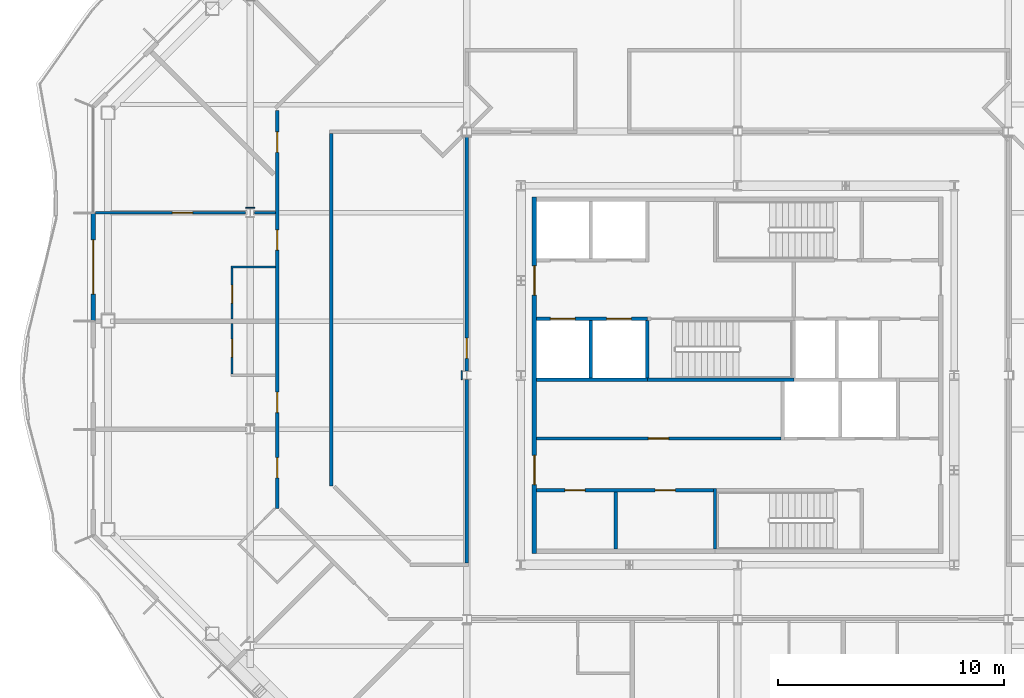
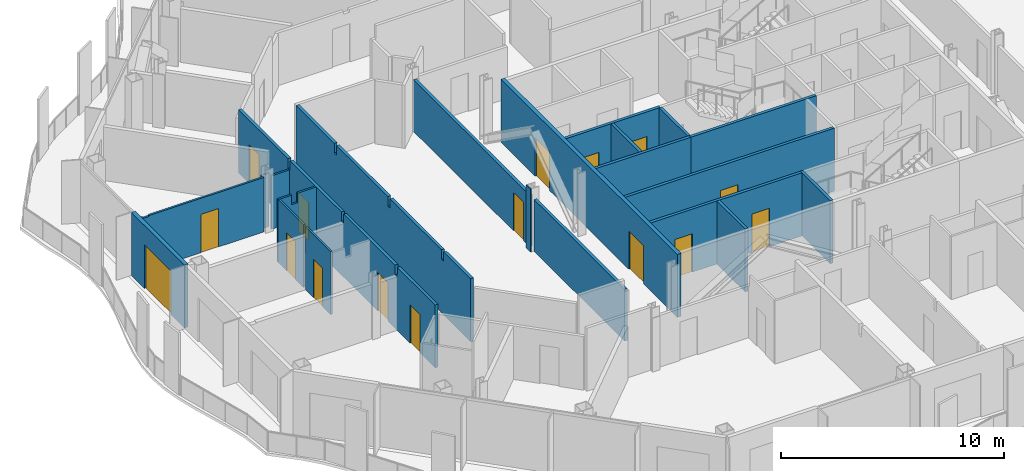
# One storey, part 8 of 21: 22 walls, 16 doors, 16 openings.
"""IFC4 building model written with IfcOpenShell, lengths in metres."""

from ifc_helpers import new_model, si_unit, direction, frame, frame_2d, origin, place, context, subcontext, project, spatial, polyline, rectangle, outline, extrude, material, layer, layer_set, type_object, element, fill, save


model = new_model("IFC4")

# Units and contexts
model_context = context("Model", 3, precision=1e-05, world=origin(), true_north=direction((0.0, 1.0)))
body_context = subcontext(model_context, "Body", "Model", "MODEL_VIEW")
ifc_project = project(units=[si_unit("LENGTHUNIT", "METRE"), si_unit("AREAUNIT", "SQUARE_METRE"), si_unit("VOLUMEUNIT", "CUBIC_METRE"), si_unit("PLANEANGLEUNIT", "RADIAN"), si_unit("MASSUNIT", "GRAM", prefix="KILO")], contexts=[model_context])

# Site, building, storey
site_placement = place(None, origin())
site = spatial("IfcSite", under=ifc_project, at=site_placement, CompositionType="ELEMENT")
building_placement = place(site_placement, origin())
building = spatial("IfcBuilding", under=site, at=building_placement, Name="Cairn Pilgrim Tower", CompositionType="ELEMENT")
storey_placement = place(building_placement, frame((0.0, 0.0, 157.800048828125)))
storey = spatial("IfcBuildingStorey", under=building, at=storey_placement, Name="L39", CompositionType="ELEMENT", Elevation=157.800048828125)

# Wall, opening, door
ifc_material_1 = material(Name="Bronze anodised aluminium insulated sandwich panel with mineral wool fill", Category="aluminium")
ifc_layer_1 = layer(ifc_material_1, 0.199951171875)
ifc_layer_set_1 = layer_set([ifc_layer_1], Name="BRONZE INFILL FRAME WALL 200")
wall_type_1 = type_object("IfcWallType", Name="BRONZE INFILL FRAME WALL 200", PredefinedType="NOTDEFINED", material=ifc_layer_set_1)
wall_1_placement = place(storey_placement, frame((-21.35009765625, 9.570068359375, 0.0), z_axis=(0.0, 0.0, 1.0), x_axis=(0.0, -1.0, 0.0)))
wall_1 = element("IfcWall", 1, at=wall_1_placement, inside=storey, type_object=wall_type_1, Name="Bronze infill frame wall IW-W2", PredefinedType="NOTDEFINED", context=body_context, shape_type="SweptSolid", body=[
    extrude(rectangle(XDim=4.739990234375, YDim=0.199951171875, at=frame_2d((2.3701171875, 0.0))), origin(), (0.0, 0.0, 1.0), 3.449951171875),
])
opening_1_placement = place(wall_1_placement, frame((1.169921875, 0.0, 0.0)))
opening_1 = element("IfcOpeningElement", 2, at=opening_1_placement, cuts=wall_1, Name="Opening 3917B", PredefinedType="OPENING", context=body_context, shape_type="SweptSolid", body=[
    extrude(rectangle(XDim=2.39990234375, YDim=2.39990234375, at=frame_2d((1.199951171875, 1.199951171875))), frame((0.0, 0.10986328125, 0.0), z_axis=(0.0, -1.0, 0.0), x_axis=(1.0, 0.0, 0.0)), (0.0, 0.0, 1.0), 0.219970703125),
])
ifc_material_2 = material(Name="Bronze anodised aluminium frame with tinted low-E glass", Category="aluminium")
door_type_1 = type_object("IfcDoorType", Name="BALCONY SLIDING DOOR 2400x2400", OperationType="DOUBLE_DOOR_SLIDING", PredefinedType="DOOR", material=ifc_material_2)
door_1_placement = place(opening_1_placement, origin())
door_1 = element("IfcDoor", 3, at=door_1_placement, inside=storey, type_object=door_type_1, Name="Balcony sliding door 3917B", OperationType="SINGLE_SWING_LEFT", OverallHeight=2.39990234375, OverallWidth=2.39990234375, PredefinedType="DOOR", context=body_context, shape_type="SweptSolid", body=[
    extrude(rectangle(XDim=2.39990234375, YDim=2.39990234375, at=frame_2d((1.199951171875, 1.199951171875))), frame((0.0, 0.02490234375, 0.0), z_axis=(0.0, -1.0, 0.0), x_axis=(1.0, 0.0, 0.0)), (0.0, 0.0, 1.0), 0.050048828125),
])
fill(opening_1, door_1)

# Wall, openings, doors
ifc_material_3 = material(Name="Concrete C32/40", Category="concrete")
ifc_layer_2 = layer(ifc_material_3, 0.199951171875)
ifc_layer_set_2 = layer_set([ifc_layer_2], Name="CORE OUTER WALL 200 EI 120")
wall_type_2 = type_object("IfcWallType", Name="CORE OUTER WALL 200 EI 120", PredefinedType="SOLIDWALL", material=ifc_layer_set_2)
wall_2_placement = place(storey_placement, frame((-1.800048828125, -5.5, 0.0), z_axis=(0.0, 0.0, 1.0), x_axis=(0.0, 1.0, 0.0)))
wall_2 = element("IfcWall", 4, at=wall_2_placement, inside=storey, type_object=wall_type_2, Name="CW:L39:V13", PredefinedType="SOLIDWALL", context=body_context, shape_type="SweptSolid", body=[
    extrude(rectangle(XDim=15.800048828125, YDim=0.199951171875, at=frame_2d((7.89990234375, 0.0))), origin(), (0.0, 0.0, 1.0), 3.449951171875),
])
opening_2_placement = place(wall_2_placement, frame((3.050048828125, 0.0, 0.0)))
opening_2 = element("IfcOpeningElement", 5, at=opening_2_placement, cuts=wall_2, Name="Opening CD-W1", PredefinedType="OPENING", context=body_context, shape_type="SweptSolid", body=[
    extrude(rectangle(XDim=1.300048828125, YDim=2.10009765625, at=frame_2d((0.64990234375, 1.050048828125))), frame((0.0, 0.10986328125, 0.0), z_axis=(0.0, -1.0, 0.0), x_axis=(1.0, 0.0, 0.0)), (0.0, 0.0, 1.0), 0.219970703125),
])
opening_3_placement = place(wall_2_placement, frame((11.449951171875, 0.0, 0.0)))
opening_3 = element("IfcOpeningElement", 6, at=opening_3_placement, cuts=wall_2, Name="Opening CD-W2", PredefinedType="OPENING", context=body_context, shape_type="SweptSolid", body=[
    extrude(rectangle(XDim=1.300048828125, YDim=2.10009765625, at=frame_2d((0.64990234375, 1.050048828125))), frame((0.0, 0.10986328125, 0.0), z_axis=(0.0, -1.0, 0.0), x_axis=(1.0, 0.0, 0.0)), (0.0, 0.0, 1.0), 0.219970703125),
])
ifc_material_4 = material(Name="Painted steel", Category="steel")
door_type_2 = type_object("IfcDoorType", Name="CORE LOBBY DOOR 1300x2100", OperationType="DOUBLE_DOOR_SINGLE_SWING", PredefinedType="DOOR", material=ifc_material_4)
door_2_placement = place(opening_2_placement, origin())
door_2 = element("IfcDoor", 7, at=door_2_placement, inside=storey, type_object=door_type_2, Name="CD-W1", OperationType="DOUBLE_DOOR_SINGLE_SWING", OverallHeight=2.10009765625, OverallWidth=1.300048828125, PredefinedType="DOOR", context=body_context, shape_type="SweptSolid", body=[
    extrude(rectangle(XDim=1.300048828125, YDim=2.10009765625, at=frame_2d((0.64990234375, 1.050048828125))), frame((0.0, 0.02490234375, 0.0), z_axis=(0.0, -1.0, 0.0), x_axis=(1.0, 0.0, 0.0)), (0.0, 0.0, 1.0), 0.050048828125),
])
fill(opening_2, door_2)
door_3_placement = place(opening_3_placement, origin())
door_3 = element("IfcDoor", 8, at=door_3_placement, inside=storey, type_object=door_type_2, Name="CD-W2", OperationType="DOUBLE_DOOR_SINGLE_SWING", OverallHeight=2.10009765625, OverallWidth=1.300048828125, PredefinedType="DOOR", context=body_context, shape_type="SweptSolid", body=[
    extrude(rectangle(XDim=1.300048828125, YDim=2.10009765625, at=frame_2d((0.64990234375, 1.050048828125))), frame((0.0, 0.02490234375, 0.0), z_axis=(0.0, -1.0, 0.0), x_axis=(1.0, 0.0, 0.0)), (0.0, 0.0, 1.0), 0.050048828125),
])
fill(opening_3, door_3)

ifc_layer_3 = layer(ifc_material_3, 0.14990234375)
ifc_layer_set_3 = layer_set([ifc_layer_3], Name="CORE PARTITION 150 EI 60")
wall_type_3 = type_object("IfcWallType", Name="CORE PARTITION 150 EI 60", PredefinedType="PARTITIONING", material=ifc_layer_set_3)
wall_3_placement = place(storey_placement, frame((-1.699951171875, -2.699951171875, 0.0), z_axis=(0.0, 0.0, 1.0), x_axis=(1.0, 0.0, 0.0)))
wall_3 = element("IfcWall", 9, at=wall_3_placement, inside=storey, type_object=wall_type_3, Name="CW:L39:H02", PredefinedType="PARTITIONING", context=body_context, shape_type="SweptSolid", body=[
    extrude(rectangle(XDim=7.824951171875, YDim=0.14990234375, at=frame_2d((3.91259765625, 0.0))), origin(), (0.0, 0.0, 1.0), 3.449951171875),
])
opening_4_placement = place(wall_3_placement, frame((1.25, 0.0, 0.0)))
opening_4 = element("IfcOpeningElement", 10, at=opening_4_placement, cuts=wall_3, Name="Opening RD-R1W1", PredefinedType="OPENING", context=body_context, shape_type="SweptSolid", body=[
    extrude(rectangle(XDim=0.89990234375, YDim=2.10009765625, at=frame_2d((0.449951171875, 1.050048828125))), frame((0.0, 0.0849609375, 0.0), z_axis=(0.0, -1.0, 0.0), x_axis=(1.0, 0.0, 0.0)), (0.0, 0.0, 1.0), 0.169921875),
])
opening_5_placement = place(wall_3_placement, frame((5.25, 0.0, 0.0)))
opening_5 = element("IfcOpeningElement", 11, at=opening_5_placement, cuts=wall_3, Name="Opening RD-R1W2", PredefinedType="OPENING", context=body_context, shape_type="SweptSolid", body=[
    extrude(rectangle(XDim=0.89990234375, YDim=2.10009765625, at=frame_2d((0.449951171875, 1.050048828125))), frame((0.0, 0.0849609375, 0.0), z_axis=(0.0, -1.0, 0.0), x_axis=(1.0, 0.0, 0.0)), (0.0, 0.0, 1.0), 0.169921875),
])
door_type_3 = type_object("IfcDoorType", Name="SERVICE ROOM DOOR 900x2100", OperationType="SINGLE_SWING_LEFT", PredefinedType="DOOR", material=ifc_material_4)
door_4_placement = place(opening_4_placement, origin())
door_4 = element("IfcDoor", 12, at=door_4_placement, inside=storey, type_object=door_type_3, Name="RD-R1W1", OperationType="SINGLE_SWING_RIGHT", OverallHeight=2.10009765625, OverallWidth=0.89990234375, PredefinedType="DOOR", context=body_context, shape_type="SweptSolid", body=[
    extrude(rectangle(XDim=0.89990234375, YDim=2.10009765625, at=frame_2d((0.449951171875, 1.050048828125))), frame((0.0, 0.02490234375, 0.0), z_axis=(0.0, -1.0, 0.0), x_axis=(1.0, 0.0, 0.0)), (0.0, 0.0, 1.0), 0.050048828125),
])
fill(opening_4, door_4)
door_5_placement = place(opening_5_placement, origin())
door_5 = element("IfcDoor", 13, at=door_5_placement, inside=storey, type_object=door_type_3, Name="RD-R1W2", OperationType="SINGLE_SWING_LEFT", OverallHeight=2.10009765625, OverallWidth=0.89990234375, PredefinedType="DOOR", context=body_context, shape_type="SweptSolid", body=[
    extrude(rectangle(XDim=0.89990234375, YDim=2.10009765625, at=frame_2d((0.449951171875, 1.050048828125))), frame((0.0, 0.02490234375, 0.0), z_axis=(0.0, -1.0, 0.0), x_axis=(1.0, 0.0, 0.0)), (0.0, 0.0, 1.0), 0.050048828125),
])
fill(opening_5, door_5)

# Wall, opening, door
wall_4_placement = place(storey_placement, frame((-1.699951171875, -0.39990234375, 0.0), z_axis=(0.0, 0.0, 1.0), x_axis=(1.0, 0.0, 0.0)))
wall_4 = element("IfcWall", 14, at=wall_4_placement, inside=storey, type_object=wall_type_3, Name="CW:L39:H04", PredefinedType="PARTITIONING", context=body_context, shape_type="SweptSolid", body=[
    extrude(rectangle(XDim=10.824951171875, YDim=0.14990234375, at=frame_2d((5.41259765625, 0.0))), origin(), (0.0, 0.0, 1.0), 3.449951171875),
])
opening_6_placement = place(wall_4_placement, frame((4.949951171875, 0.0, 0.0)))
opening_6 = element("IfcOpeningElement", 15, at=opening_6_placement, cuts=wall_4, Name="Opening RD-R2W1", PredefinedType="OPENING", context=body_context, shape_type="SweptSolid", body=[
    extrude(rectangle(XDim=0.89990234375, YDim=2.10009765625, at=frame_2d((0.449951171875, 1.050048828125))), frame((0.0, 0.0849609375, 0.0), z_axis=(0.0, -1.0, 0.0), x_axis=(1.0, 0.0, 0.0)), (0.0, 0.0, 1.0), 0.169921875),
])
door_6_placement = place(opening_6_placement, origin())
door_6 = element("IfcDoor", 16, at=door_6_placement, inside=storey, type_object=door_type_3, Name="RD-R2W1", OperationType="SINGLE_SWING_RIGHT", OverallHeight=2.10009765625, OverallWidth=0.89990234375, PredefinedType="DOOR", context=body_context, shape_type="SweptSolid", body=[
    extrude(rectangle(XDim=0.89990234375, YDim=2.10009765625, at=frame_2d((0.449951171875, 1.050048828125))), frame((0.0, 0.02490234375, 0.0), z_axis=(0.0, -1.0, 0.0), x_axis=(1.0, 0.0, 0.0)), (0.0, 0.0, 1.0), 0.050048828125),
])
fill(opening_6, door_6)

# Walls
wall_5_placement = place(storey_placement, frame((1.800048828125, -5.300048828125, 0.0), z_axis=(0.0, 0.0, 1.0), x_axis=(0.0, 1.0, 0.0)))
element("IfcWall", 17, at=wall_5_placement, inside=storey, type_object=wall_type_3, Name="CW:L39:V16", PredefinedType="PARTITIONING", context=body_context, shape_type="SweptSolid", body=[
    extrude(rectangle(XDim=2.525146484375, YDim=0.14990234375, at=frame_2d((1.2626953125, 0.0))), origin(), (0.0, 0.0, 1.0), 3.449951171875),
])
ifc_layer_4 = layer(ifc_material_3, 0.14990234375)
ifc_layer_set_4 = layer_set([ifc_layer_4], Name="CORE SHAFT WALL 150 EI 120")
wall_type_4 = type_object("IfcWallType", Name="CORE SHAFT WALL 150 EI 120", PredefinedType="SOLIDWALL", material=ifc_layer_set_4)
wall_6_placement = place(storey_placement, frame((-1.699951171875, 2.199951171875, 0.0), z_axis=(0.0, 0.0, 1.0), x_axis=(1.0, 0.0, 0.0)))
element("IfcWall", 18, at=wall_6_placement, inside=storey, type_object=wall_type_4, Name="CW:L39:H07-1", PredefinedType="SOLIDWALL", context=body_context, shape_type="SweptSolid", body=[
    extrude(rectangle(XDim=4.89990234375, YDim=0.14990234375, at=frame_2d((2.449951171875, 0.0))), origin(), (0.0, 0.0, 1.0), 3.449951171875),
])

# Wall, openings, doors
wall_7_placement = place(storey_placement, frame((-1.699951171875, 4.89990234375, 0.0), z_axis=(0.0, 0.0, 1.0), x_axis=(1.0, 0.0, 0.0)))
wall_7 = element("IfcWall", 19, at=wall_7_placement, inside=storey, type_object=wall_type_4, Name="CW:L39:H09-1", PredefinedType="SOLIDWALL", context=body_context, shape_type="SweptSolid", body=[
    extrude(rectangle(XDim=4.89990234375, YDim=0.14990234375, at=frame_2d((2.449951171875, 0.0))), origin(), (0.0, 0.0, 1.0), 3.449951171875),
])
opening_7_placement = place(wall_7_placement, frame((0.60009765625, 0.0, 0.0)))
opening_7 = element("IfcOpeningElement", 20, at=opening_7_placement, cuts=wall_7, Name="Opening LD-HR1", PredefinedType="OPENING", context=body_context, shape_type="SweptSolid", body=[
    extrude(rectangle(XDim=1.10009765625, YDim=2.10009765625, at=frame_2d((0.550048828125, 1.050048828125))), frame((0.0, 0.0849609375, 0.0), z_axis=(0.0, -1.0, 0.0), x_axis=(1.0, 0.0, 0.0)), (0.0, 0.0, 1.0), 0.169921875),
])
opening_8_placement = place(wall_7_placement, frame((3.10009765625, 0.0, 0.0)))
opening_8 = element("IfcOpeningElement", 21, at=opening_8_placement, cuts=wall_7, Name="Opening LD-HR2", PredefinedType="OPENING", context=body_context, shape_type="SweptSolid", body=[
    extrude(rectangle(XDim=1.10009765625, YDim=2.10009765625, at=frame_2d((0.550048828125, 1.050048828125))), frame((0.0, 0.0849609375, 0.0), z_axis=(0.0, -1.0, 0.0), x_axis=(1.0, 0.0, 0.0)), (0.0, 0.0, 1.0), 0.169921875),
])
ifc_material_5 = material(Name="Stainless steel", Category="steel")
door_type_4 = type_object("IfcDoorType", Name="LIFT LANDING DOOR 1100x2100", OperationType="DOUBLE_DOOR_SLIDING", PredefinedType="DOOR", material=ifc_material_5)
door_7_placement = place(opening_7_placement, origin())
door_7 = element("IfcDoor", 22, at=door_7_placement, inside=storey, type_object=door_type_4, Name="LANDING DOOR HR1", OperationType="DOUBLE_DOOR_SLIDING", OverallHeight=2.10009765625, OverallWidth=1.10009765625, PredefinedType="DOOR", context=body_context, shape_type="SweptSolid", body=[
    extrude(rectangle(XDim=1.10009765625, YDim=2.10009765625, at=frame_2d((0.550048828125, 1.050048828125))), frame((0.0, 0.02490234375, 0.0), z_axis=(0.0, -1.0, 0.0), x_axis=(1.0, 0.0, 0.0)), (0.0, 0.0, 1.0), 0.050048828125),
])
fill(opening_7, door_7)
door_8_placement = place(opening_8_placement, origin())
door_8 = element("IfcDoor", 23, at=door_8_placement, inside=storey, type_object=door_type_4, Name="LANDING DOOR HR2", OperationType="DOUBLE_DOOR_SLIDING", OverallHeight=2.10009765625, OverallWidth=1.10009765625, PredefinedType="DOOR", context=body_context, shape_type="SweptSolid", body=[
    extrude(rectangle(XDim=1.10009765625, YDim=2.10009765625, at=frame_2d((0.550048828125, 1.050048828125))), frame((0.0, 0.02490234375, 0.0), z_axis=(0.0, -1.0, 0.0), x_axis=(1.0, 0.0, 0.0)), (0.0, 0.0, 1.0), 0.050048828125),
])
fill(opening_8, door_8)

# Wall
wall_8_placement = place(storey_placement, frame((0.699951171875, 2.27490234375, 0.0), z_axis=(0.0, 0.0, 1.0), x_axis=(0.0, 1.0, 0.0)))
element("IfcWall", 24, at=wall_8_placement, inside=storey, type_object=wall_type_4, Name="CW:L39:V14", PredefinedType="SOLIDWALL", context=body_context, shape_type="SweptSolid", body=[
    extrude(rectangle(XDim=2.550048828125, YDim=0.14990234375, at=frame_2d((1.27490234375, 0.0))), origin(), (0.0, 0.0, 1.0), 3.449951171875),
])

# Wall, opening, door
ifc_material_6 = material(Name="Gypsum partition")
ifc_layer_5 = layer(ifc_material_6, 0.10009765625)
ifc_layer_set_5 = layer_set([ifc_layer_5], Name="PARTITION 100 DRYWALL")
wall_type_5 = type_object("IfcWallType", Name="PARTITION 100 DRYWALL", PredefinedType="PARTITIONING", material=ifc_layer_set_5)
wall_9_placement = place(storey_placement, frame((-15.199951171875, 2.449951171875, 0.0), z_axis=(0.0, 0.0, 1.0), x_axis=(0.0, 1.0, 0.0)))
wall_9 = element("IfcWall", 25, at=wall_9_placement, inside=storey, type_object=wall_type_5, Name="PARTITION W048", PredefinedType="PARTITIONING", context=body_context, shape_type="SweptSolid", body=[
    extrude(rectangle(XDim=2.25, YDim=0.10009765625, at=frame_2d((1.125, 0.0))), origin(), (0.0, 0.0, 1.0), 3.449951171875),
])
opening_9_placement = place(wall_9_placement, frame((0.75, 0.0, 0.0)))
opening_9 = element("IfcOpeningElement", 26, at=opening_9_placement, cuts=wall_9, Name="Opening 3918A", PredefinedType="OPENING", context=body_context, shape_type="SweptSolid", body=[
    extrude(rectangle(XDim=0.800048828125, YDim=2.10009765625, at=frame_2d((0.39990234375, 1.050048828125))), frame((0.0, 0.06005859375, 0.0), z_axis=(0.0, -1.0, 0.0), x_axis=(1.0, 0.0, 0.0)), (0.0, 0.0, 1.0), 0.1201171875),
])
ifc_material_7 = material(Name="Timber door leaf", Category="wood")
door_type_5 = type_object("IfcDoorType", Name="WC DOOR 800x2100", OperationType="NOTDEFINED", PredefinedType="DOOR", material=ifc_material_7)
door_9_placement = place(opening_9_placement, origin())
door_9 = element("IfcDoor", 27, at=door_9_placement, inside=storey, type_object=door_type_5, Name="DOOR 3918A", OperationType="SINGLE_SWING_RIGHT", OverallHeight=2.10009765625, OverallWidth=0.800048828125, PredefinedType="DOOR", context=body_context, shape_type="SweptSolid", body=[
    extrude(rectangle(XDim=0.800048828125, YDim=2.10009765625, at=frame_2d((0.39990234375, 1.050048828125))), frame((0.0, 0.02490234375, 0.0), z_axis=(0.0, -1.0, 0.0), x_axis=(1.0, 0.0, 0.0)), (0.0, 0.0, 1.0), 0.050048828125),
])
fill(opening_9, door_9)

wall_10_placement = place(storey_placement, frame((-15.199951171875, 4.89990234375, 0.0), z_axis=(0.0, 0.0, 1.0), x_axis=(0.0, 1.0, 0.0)))
wall_10 = element("IfcWall", 28, at=wall_10_placement, inside=storey, type_object=wall_type_5, Name="PARTITION W059", PredefinedType="PARTITIONING", context=body_context, shape_type="SweptSolid", body=[
    extrude(rectangle(XDim=2.25, YDim=0.10009765625, at=frame_2d((1.125, 0.0))), origin(), (0.0, 0.0, 1.0), 3.449951171875),
])
opening_10_placement = place(wall_10_placement, frame((0.699951171875, 0.0, 0.0)))
opening_10 = element("IfcOpeningElement", 29, at=opening_10_placement, cuts=wall_10, Name="Opening 3917A", PredefinedType="OPENING", context=body_context, shape_type="SweptSolid", body=[
    extrude(rectangle(XDim=0.800048828125, YDim=2.10009765625, at=frame_2d((0.39990234375, 1.050048828125))), frame((0.0, 0.06005859375, 0.0), z_axis=(0.0, -1.0, 0.0), x_axis=(1.0, 0.0, 0.0)), (0.0, 0.0, 1.0), 0.1201171875),
])
door_10_placement = place(opening_10_placement, origin())
door_10 = element("IfcDoor", 30, at=door_10_placement, inside=storey, type_object=door_type_5, Name="DOOR 3917A", OperationType="SINGLE_SWING_RIGHT", OverallHeight=2.10009765625, OverallWidth=0.800048828125, PredefinedType="DOOR", context=body_context, shape_type="SweptSolid", body=[
    extrude(rectangle(XDim=0.800048828125, YDim=2.10009765625, at=frame_2d((0.39990234375, 1.050048828125))), frame((0.0, 0.02490234375, 0.0), z_axis=(0.0, -1.0, 0.0), x_axis=(1.0, 0.0, 0.0)), (0.0, 0.0, 1.0), 0.050048828125),
])
fill(opening_10, door_10)

# Wall
wall_11_placement = place(storey_placement, frame((-15.25, 7.199951171875, 0.0), z_axis=(0.0, 0.0, 1.0), x_axis=(1.0, 0.0, 0.0)))
element("IfcWall", 31, at=wall_11_placement, inside=storey, type_object=wall_type_5, Name="PARTITION W062", PredefinedType="PARTITIONING", context=body_context, shape_type="SweptSolid", body=[
    extrude(outline(polyline([(0.0, 0.0), (1.97509765625, 0.0), (1.97509765625, 3.449951171875), (1.0, 3.449951171875), (0.998046875, 2.929931640625), (0.699951171875, 2.929931640625), (0.697998046875, 3.449951171875), (0.0, 3.449951171875), (0.0, 0.0)])), frame((0.0, 0.050048828125, 0.0), z_axis=(0.0, -1.0, 0.0), x_axis=(1.0, 0.0, 0.0)), (0.0, 0.0, 1.0), 0.10009765625),
])

# Wall, opening, door
wall_12_placement = place(storey_placement, frame((-21.25, 9.60009765625, 0.0), z_axis=(0.0, 0.0, 1.0), x_axis=(1.0, 0.0, 0.0)))
wall_12 = element("IfcWall", 32, at=wall_12_placement, inside=storey, type_object=wall_type_5, Name="PARTITION W064", PredefinedType="PARTITIONING", context=body_context, shape_type="SweptSolid", body=[
    extrude(outline(polyline([(0.0, 0.0), (6.650390625, 0.0), (6.650390625, 2.97998046875), (0.699951171875, 2.97998046875), (0.697998046875, 2.929931640625), (0.39990234375, 2.929931640625), (0.39794921875, 2.97998046875), (0.0, 2.97998046875), (0.0, 0.0)])), frame((0.0, 0.050048828125, 0.0), z_axis=(0.0, -1.0, 0.0), x_axis=(1.0, 0.0, 0.0)), (0.0, 0.0, 1.0), 0.10009765625),
])
opening_11_placement = place(wall_12_placement, frame((3.39990234375, 0.0, 0.0)))
opening_11 = element("IfcOpeningElement", 33, at=opening_11_placement, cuts=wall_12, Name="Opening 3923", PredefinedType="OPENING", context=body_context, shape_type="SweptSolid", body=[
    extrude(rectangle(XDim=0.89990234375, YDim=2.10009765625, at=frame_2d((0.449951171875, 1.050048828125))), frame((0.0, 0.06005859375, 0.0), z_axis=(0.0, -1.0, 0.0), x_axis=(1.0, 0.0, 0.0)), (0.0, 0.0, 1.0), 0.1201171875),
])
door_type_6 = type_object("IfcDoorType", Name="SERVICE DOOR 900x2100", OperationType="NOTDEFINED", PredefinedType="DOOR", material=ifc_material_7)
door_11_placement = place(opening_11_placement, frame((0.89990234375, 0.0, 0.0), z_axis=(0.0, 0.0, 1.0), x_axis=(-1.0, 0.0, 0.0)))
door_11 = element("IfcDoor", 34, at=door_11_placement, inside=storey, type_object=door_type_6, Name="DOOR 3923", OperationType="SINGLE_SWING_RIGHT", OverallHeight=2.10009765625, OverallWidth=0.89990234375, PredefinedType="DOOR", context=body_context, shape_type="SweptSolid", body=[
    extrude(rectangle(XDim=0.89990234375, YDim=2.10009765625, at=frame_2d((0.449951171875, 1.050048828125))), frame((0.0, 0.02490234375, 0.0), z_axis=(0.0, -1.0, 0.0), x_axis=(1.0, 0.0, 0.0)), (0.0, 0.0, 1.0), 0.050048828125),
])
fill(opening_11, door_11)

# Walls
wall_13_placement = place(storey_placement, frame((-14.200439453125, 9.60009765625, 0.0), z_axis=(0.0, 0.0, 1.0), x_axis=(1.0, 0.0, 0.0)))
element("IfcWall", 35, at=wall_13_placement, inside=storey, type_object=wall_type_5, Name="PARTITION W065", PredefinedType="PARTITIONING", context=body_context, shape_type="SweptSolid", body=[
    extrude(rectangle(XDim=0.925537109375, YDim=0.10009765625, at=frame_2d((0.462890625, 0.0))), origin(), (0.0, 0.0, 1.0), 2.929931640625),
])
ifc_layer_6 = layer(ifc_material_6, 0.14990234375)
ifc_layer_set_6 = layer_set([ifc_layer_6], Name="PARTITION 150 DRYWALL EI 60")
wall_type_6 = type_object("IfcWallType", Name="PARTITION 150 DRYWALL EI 60", PredefinedType="PARTITIONING", material=ifc_layer_set_6)
wall_14_placement = place(storey_placement, frame((-4.800048828125, -5.925048828125, 0.0), z_axis=(0.0, 0.0, 1.0), x_axis=(0.0, 1.0, 0.0)))
element("IfcWall", 36, at=wall_14_placement, inside=storey, type_object=wall_type_6, Name="PARTITION W033", PredefinedType="PARTITIONING", context=body_context, shape_type="SweptSolid", body=[
    extrude(rectangle(XDim=8.128662109375, YDim=0.14990234375, at=frame_2d((4.064453125, 0.0))), origin(), (0.0, 0.0, 1.0), 2.829833984375),
])

# Wall, openings, doors
wall_15_placement = place(storey_placement, frame((-13.199951171875, -3.5, 0.0), z_axis=(0.0, 0.0, 1.0), x_axis=(0.0, 1.0, 0.0)))
wall_15 = element("IfcWall", 37, at=wall_15_placement, inside=storey, type_object=wall_type_6, Name="PARTITION W037", PredefinedType="PARTITIONING", context=body_context, shape_type="SweptSolid", body=[
    extrude(outline(polyline([(0.0, 0.0), (17.634033203125, 0.0), (17.634033203125, 3.449951171875), (13.2001953125, 3.449951171875), (13.197998046875, 2.929931640625), (13.0, 2.929931640625), (12.998046875, 3.449951171875), (8.400146484375, 3.449951171875), (8.398193359375, 2.929931640625), (8.2001953125, 2.929931640625), (8.197998046875, 3.449951171875), (3.60009765625, 3.449951171875), (3.59814453125, 2.929931640625), (3.400146484375, 2.929931640625), (3.398193359375, 3.449951171875), (0.0, 3.449951171875), (0.0, 0.0)])), frame((0.0, 0.074951171875, 0.0), z_axis=(0.0, -1.0, 0.0), x_axis=(1.0, 0.0, 0.0)), (0.0, 0.0, 1.0), 0.14990234375),
])
opening_12_placement = place(wall_15_placement, frame((15.7841796875, 0.0, 0.0)))
opening_12 = element("IfcOpeningElement", 38, at=opening_12_placement, cuts=wall_15, Name="Opening 3916", PredefinedType="OPENING", context=body_context, shape_type="SweptSolid", body=[
    extrude(rectangle(XDim=0.89990234375, YDim=2.10009765625, at=frame_2d((0.449951171875, 1.050048828125))), frame((0.0, 0.0849609375, 0.0), z_axis=(0.0, -1.0, 0.0), x_axis=(1.0, 0.0, 0.0)), (0.0, 0.0, 1.0), 0.169921875),
])
opening_13_placement = place(wall_15_placement, frame((11.449951171875, 0.0, 0.0)))
opening_13 = element("IfcOpeningElement", 39, at=opening_13_placement, cuts=wall_15, Name="Opening 3917", PredefinedType="OPENING", context=body_context, shape_type="SweptSolid", body=[
    extrude(rectangle(XDim=0.89990234375, YDim=2.10009765625, at=frame_2d((0.449951171875, 1.050048828125))), frame((0.0, 0.0849609375, 0.0), z_axis=(0.0, -1.0, 0.0), x_axis=(1.0, 0.0, 0.0)), (0.0, 0.0, 1.0), 0.169921875),
])
opening_14_placement = place(wall_15_placement, frame((4.25, 0.0, 0.0)))
opening_14 = element("IfcOpeningElement", 40, at=opening_14_placement, cuts=wall_15, Name="Opening 3918", PredefinedType="OPENING", context=body_context, shape_type="SweptSolid", body=[
    extrude(rectangle(XDim=0.89990234375, YDim=2.10009765625, at=frame_2d((0.449951171875, 1.050048828125))), frame((0.0, 0.0849609375, 0.0), z_axis=(0.0, -1.0, 0.0), x_axis=(1.0, 0.0, 0.0)), (0.0, 0.0, 1.0), 0.169921875),
])
opening_15_placement = place(wall_15_placement, frame((1.35302734375, 0.0, 0.0)))
opening_15 = element("IfcOpeningElement", 41, at=opening_15_placement, cuts=wall_15, Name="Opening 3919", PredefinedType="OPENING", context=body_context, shape_type="SweptSolid", body=[
    extrude(rectangle(XDim=0.89990234375, YDim=2.10009765625, at=frame_2d((0.449951171875, 1.050048828125))), frame((0.0, 0.0849609375, 0.0), z_axis=(0.0, -1.0, 0.0), x_axis=(1.0, 0.0, 0.0)), (0.0, 0.0, 1.0), 0.169921875),
])
door_type_7 = type_object("IfcDoorType", Name="ROOM DOOR 900x2100 FD30S", OperationType="NOTDEFINED", PredefinedType="DOOR", material=ifc_material_7)
door_12_placement = place(opening_13_placement, origin())
door_12 = element("IfcDoor", 42, at=door_12_placement, inside=storey, type_object=door_type_7, Name="DOOR 3917", OperationType="SINGLE_SWING_RIGHT", OverallHeight=2.10009765625, OverallWidth=0.89990234375, PredefinedType="DOOR", context=body_context, shape_type="SweptSolid", body=[
    extrude(rectangle(XDim=0.89990234375, YDim=2.10009765625, at=frame_2d((0.449951171875, 1.050048828125))), frame((0.0, 0.02490234375, 0.0), z_axis=(0.0, -1.0, 0.0), x_axis=(1.0, 0.0, 0.0)), (0.0, 0.0, 1.0), 0.050048828125),
])
fill(opening_13, door_12)
door_13_placement = place(opening_14_placement, origin())
door_13 = element("IfcDoor", 43, at=door_13_placement, inside=storey, type_object=door_type_7, Name="DOOR 3918", OperationType="SINGLE_SWING_RIGHT", OverallHeight=2.10009765625, OverallWidth=0.89990234375, PredefinedType="DOOR", context=body_context, shape_type="SweptSolid", body=[
    extrude(rectangle(XDim=0.89990234375, YDim=2.10009765625, at=frame_2d((0.449951171875, 1.050048828125))), frame((0.0, 0.02490234375, 0.0), z_axis=(0.0, -1.0, 0.0), x_axis=(1.0, 0.0, 0.0)), (0.0, 0.0, 1.0), 0.050048828125),
])
fill(opening_14, door_13)
door_14_placement = place(opening_15_placement, origin())
door_14 = element("IfcDoor", 44, at=door_14_placement, inside=storey, type_object=door_type_7, Name="DOOR 3919", OperationType="SINGLE_SWING_RIGHT", OverallHeight=2.10009765625, OverallWidth=0.89990234375, PredefinedType="DOOR", context=body_context, shape_type="SweptSolid", body=[
    extrude(rectangle(XDim=0.89990234375, YDim=2.10009765625, at=frame_2d((0.449951171875, 1.050048828125))), frame((0.0, 0.02490234375, 0.0), z_axis=(0.0, -1.0, 0.0), x_axis=(1.0, 0.0, 0.0)), (0.0, 0.0, 1.0), 0.050048828125),
])
fill(opening_15, door_14)
door_type_8 = type_object("IfcDoorType", Name="SERVICE DOOR 900x2100 FD30S", OperationType="NOTDEFINED", PredefinedType="DOOR", material=ifc_material_7)
door_15_placement = place(opening_12_placement, origin())
door_15 = element("IfcDoor", 45, at=door_15_placement, inside=storey, type_object=door_type_8, Name="DOOR 3916", OperationType="SINGLE_SWING_RIGHT", OverallHeight=2.10009765625, OverallWidth=0.89990234375, PredefinedType="DOOR", context=body_context, shape_type="SweptSolid", body=[
    extrude(rectangle(XDim=0.89990234375, YDim=2.10009765625, at=frame_2d((0.449951171875, 1.050048828125))), frame((0.0, 0.02490234375, 0.0), z_axis=(0.0, -1.0, 0.0), x_axis=(1.0, 0.0, 0.0)), (0.0, 0.0, 1.0), 0.050048828125),
])
fill(opening_12, door_15)

# Wall
wall_16_placement = place(storey_placement, frame((-10.800048828125, -2.506103515625, 0.0), z_axis=(0.0, 0.0, 1.0), x_axis=(0.0, 1.0, 0.0)))
element("IfcWall", 46, at=wall_16_placement, inside=storey, type_object=wall_type_6, Name="PARTITION W038", PredefinedType="PARTITIONING", context=body_context, shape_type="SweptSolid", body=[
    extrude(outline(polyline([(0.0, 0.0), (15.631103515625, 0.0), (15.631103515625, 3.449951171875), (12.2060546875, 3.449951171875), (12.2041015625, 2.929931640625), (12.006103515625, 2.929931640625), (12.004150390625, 3.449951171875), (7.406005859375, 3.449951171875), (7.404052734375, 2.929931640625), (7.2060546875, 2.929931640625), (7.2041015625, 3.449951171875), (2.606201171875, 3.449951171875), (2.60400390625, 2.929931640625), (2.406005859375, 2.929931640625), (2.404052734375, 3.449951171875), (0.0, 3.449951171875), (0.0, 0.0)])), frame((0.0, 0.074951171875, 0.0), z_axis=(0.0, -1.0, 0.0), x_axis=(1.0, 0.0, 0.0)), (0.0, 0.0, 1.0), 0.14990234375),
])

# Wall, opening, door
wall_17_placement = place(storey_placement, frame((-4.800048828125, 2.596435546875, 0.0), z_axis=(0.0, 0.0, 1.0), x_axis=(0.0, 1.0, 0.0)))
wall_17 = element("IfcWall", 47, at=wall_17_placement, inside=storey, type_object=wall_type_6, Name="PARTITION W051", PredefinedType="PARTITIONING", context=body_context, shape_type="SweptSolid", body=[
    extrude(rectangle(XDim=10.406982421875, YDim=0.14990234375, at=frame_2d((5.20361328125, 0.0))), origin(), (0.0, 0.0, 1.0), 2.829833984375),
])
opening_16_placement = place(wall_17_placement, frame((0.553466796875, 0.0, 0.0)))
opening_16 = element("IfcOpeningElement", 48, at=opening_16_placement, cuts=wall_17, Name="Opening 3929", PredefinedType="OPENING", context=body_context, shape_type="SweptSolid", body=[
    extrude(rectangle(XDim=0.89990234375, YDim=2.10009765625, at=frame_2d((0.449951171875, 1.050048828125))), frame((0.0, 0.0849609375, 0.0), z_axis=(0.0, -1.0, 0.0), x_axis=(1.0, 0.0, 0.0)), (0.0, 0.0, 1.0), 0.169921875),
])
door_16_placement = place(opening_16_placement, origin())
door_16 = element("IfcDoor", 49, at=door_16_placement, inside=storey, type_object=door_type_8, Name="DOOR 3929", OperationType="SINGLE_SWING_LEFT", OverallHeight=2.10009765625, OverallWidth=0.89990234375, PredefinedType="DOOR", context=body_context, shape_type="SweptSolid", body=[
    extrude(rectangle(XDim=0.89990234375, YDim=2.10009765625, at=frame_2d((0.449951171875, 1.050048828125))), frame((0.0, 0.02490234375, 0.0), z_axis=(0.0, -1.0, 0.0), x_axis=(1.0, 0.0, 0.0)), (0.0, 0.0, 1.0), 0.050048828125),
])
fill(opening_16, door_16)

# Walls
ifc_layer_7 = layer(ifc_material_6, 0.050048828125)
ifc_layer_set_7 = layer_set([ifc_layer_7], Name="PARTITION 50 DRYWALL")
wall_type_7 = type_object("IfcWallType", Name="PARTITION 50 DRYWALL", PredefinedType="PARTITIONING", material=ifc_layer_set_7)
wall_18_placement = place(storey_placement, frame((-14.599609375, 9.821533203125, 0.0), z_axis=(0.0, 0.0, 1.0), x_axis=(1.0, 0.0, 0.0)))
element("IfcWall", 50, at=wall_18_placement, inside=storey, type_object=wall_type_7, Name="COLUMN CASING WC21", PredefinedType="PARTITIONING", context=body_context, shape_type="SweptSolid", body=[
    extrude(rectangle(XDim=0.399169921875, YDim=0.050048828125, at=frame_2d((0.19970703125, 0.0))), origin(), (0.0, 0.0, 1.0), 2.929931640625),
])
ifc_layer_8 = layer(ifc_material_6, 0.050048828125)
ifc_layer_set_8 = layer_set([ifc_layer_8], Name="PARTITION 50 DRYWALL EI 60")
wall_type_8 = type_object("IfcWallType", Name="PARTITION 50 DRYWALL EI 60", PredefinedType="PARTITIONING", material=ifc_layer_set_8)
wall_19_placement = place(storey_placement, frame((-5.0244140625, 2.20361328125, 0.0), z_axis=(0.0, 0.0, 1.0), x_axis=(0.0, 1.0, 0.0)))
element("IfcWall", 51, at=wall_19_placement, inside=storey, type_object=wall_type_8, Name="COLUMN CASING WC13", PredefinedType="PARTITIONING", context=body_context, shape_type="SweptSolid", body=[
    extrude(rectangle(XDim=0.392822265625, YDim=0.050048828125, at=frame_2d((0.1962890625, 0.0))), origin(), (0.0, 0.0, 1.0), 3.449951171875),
])
ifc_material_8 = material(Name="Concrete C35/45", Category="concrete")
ifc_layer_9 = layer(ifc_material_8, 0.14990234375)
ifc_layer_set_9 = layer_set([ifc_layer_9], Name="STAIR SHAFT WALL 150 EI 120")
wall_type_9 = type_object("IfcWallType", Name="STAIR SHAFT WALL 150 EI 120", PredefinedType="SOLIDWALL", material=ifc_layer_set_9)
wall_20_placement = place(storey_placement, frame((3.199951171875, 2.199951171875, 0.0), z_axis=(0.0, 0.0, 1.0), x_axis=(1.0, 0.0, 0.0)))
element("IfcWall", 52, at=wall_20_placement, inside=storey, type_object=wall_type_9, Name="CW:L39:H07-2", PredefinedType="SOLIDWALL", context=body_context, shape_type="SweptSolid", body=[
    extrude(rectangle(XDim=6.5, YDim=0.14990234375, at=frame_2d((3.25, 0.0))), origin(), (0.0, 0.0, 1.0), 3.449951171875),
])
wall_21_placement = place(storey_placement, frame((3.199951171875, 2.27490234375, 0.0), z_axis=(0.0, 0.0, 1.0), x_axis=(0.0, 1.0, 0.0)))
element("IfcWall", 53, at=wall_21_placement, inside=storey, type_object=wall_type_9, Name="CW:L39:V17", PredefinedType="SOLIDWALL", context=body_context, shape_type="SweptSolid", body=[
    extrude(rectangle(XDim=2.550048828125, YDim=0.14990234375, at=frame_2d((1.27490234375, 0.0))), origin(), (0.0, 0.0, 1.0), 3.449951171875),
])
wall_22_placement = place(storey_placement, frame((6.199951171875, -5.300048828125, 0.0), z_axis=(0.0, 0.0, 1.0), x_axis=(0.0, 1.0, 0.0)))
element("IfcWall", 54, at=wall_22_placement, inside=storey, type_object=wall_type_9, Name="CW:L39:V19", PredefinedType="SOLIDWALL", context=body_context, shape_type="SweptSolid", body=[
    extrude(rectangle(XDim=2.675048828125, YDim=0.14990234375, at=frame_2d((1.33740234375, 0.0))), origin(), (0.0, 0.0, 1.0), 3.449951171875),
])

save(model, "model.ifc")
